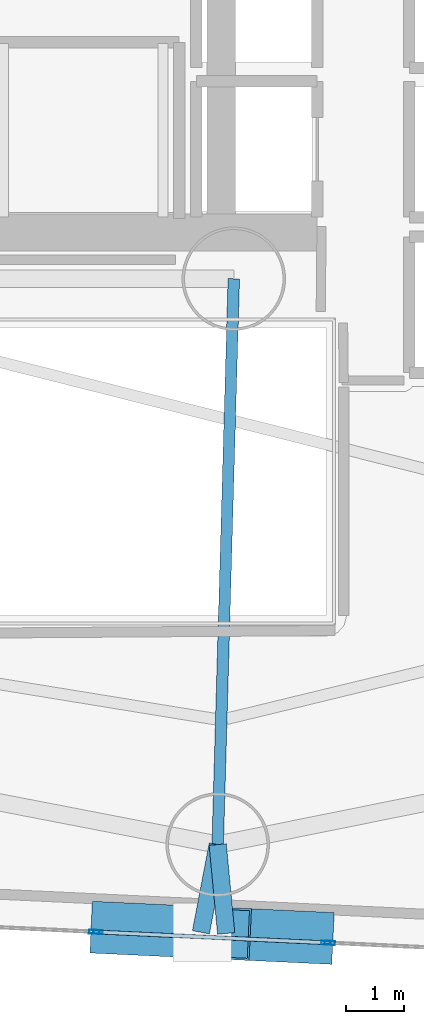
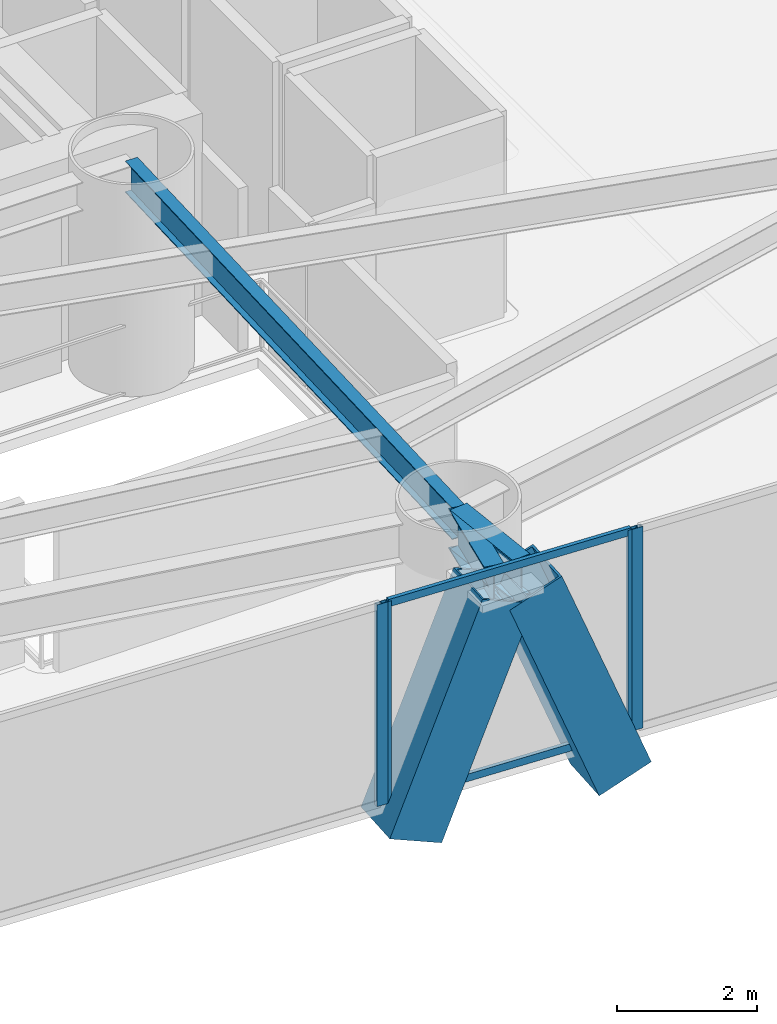
# One storey, part 5 of 23: 8 members, 3 beams, 3 elements without a shape of their own.
"""IFC4 building model written with IfcOpenShell, lengths in metres."""

from ifc_helpers import new_model, si_unit, direction, frame, origin, origin_2d, place, context, subcontext, project, spatial, hollow_rectangle, i_section, extrude, material, layer, layer_set, material_profile, profile_set, type_object, element, aggregate, save


model = new_model("IFC4")

# Units and contexts
model_context = context("Model", 3, precision=1e-05, world=origin(), true_north=direction((0.0, 1.0)))
body_context = subcontext(model_context, "Body", "Model", "MODEL_VIEW")
ifc_project = project(units=[si_unit("LENGTHUNIT", "METRE"), si_unit("AREAUNIT", "SQUARE_METRE"), si_unit("VOLUMEUNIT", "CUBIC_METRE"), si_unit("PLANEANGLEUNIT", "RADIAN"), si_unit("MASSUNIT", "GRAM", prefix="KILO")], contexts=[model_context])

# Site, building, storey
site_placement = place(None, origin())
site = spatial("IfcSite", under=ifc_project, at=site_placement, CompositionType="ELEMENT")
building_placement = place(site_placement, origin())
building = spatial("IfcBuilding", under=site, at=building_placement, Name="Qianvela Tower", CompositionType="ELEMENT")
storey_placement = place(building_placement, frame((0.0, 0.0, 29.39990234375)))
storey = spatial("IfcBuildingStorey", under=building, at=storey_placement, Name="L06", CompositionType="ELEMENT", Elevation=29.39990234375)

# Beams
ifc_material_1 = material(Name="Steel Q355B", Category="steel")
ifc_material_profile_1 = material_profile(ifc_material_1, i_section(OverallWidth=0.199951171875, OverallDepth=0.550048828125, WebThickness=0.010009765625, FlangeThickness=0.01611328125, at=origin_2d()), Name="HN550x200x10x16")
ifc_profile_set_1 = profile_set([ifc_material_profile_1], Name="Steel Q355B")
beam_type_1 = type_object("IfcBeamType", Name="BM-HN550-GIRD", PredefinedType="BEAM", material=ifc_profile_set_1)
beam_placement = place(storey_placement, frame((38.39990234375, 23.85009765625, 3.2431640625), z_axis=(-0.028439336302, -0.999595520273, 0.0), x_axis=(0.999595520273, -0.028439336302, 0.0)))
element("IfcBeam", 1, at=beam_placement, inside=storey, type_object=beam_type_1, Name="L06 Radial Primary Floor Girder 6", PredefinedType="BEAM", context=body_context, shape_type="SweptSolid", body=[
    extrude(i_section(OverallWidth=0.199951171875, OverallDepth=0.550048828125, WebThickness=0.010009765625, FlangeThickness=0.01611328125, at=origin_2d()), origin(), (0.0, 0.0, 1.0), 9.837890625),
])
ifc_material_2 = material(Name="Steel Q355B", Category="steel")
ifc_material_profile_2 = material_profile(ifc_material_2, i_section(OverallWidth=0.300048828125, OverallDepth=0.699951171875, WebThickness=0.012939453125, FlangeThickness=0.02392578125, at=origin_2d()), Name="HN700x300x13x24")
ifc_profile_set_2 = profile_set([ifc_material_profile_2], Name="Steel Q355B")
beam_type_2 = type_object("IfcBeamType", Name="BM-HN700-SPAND", PredefinedType="SPANDREL", material=ifc_profile_set_2)
for number, where, z_axis, x_axis, name in (
    (2, (38.1201171875, 14.01611328125, 3.168212890625), (-0.188123923487, -0.982145299542, 0.0), (0.982145299542, -0.188123923487, 0.0), "L06 Mega-Brace Column Tie Bracket F3-1"),
    (3, (38.1201171875, 14.01611328125, 3.168212890625), (0.095002078177, -0.995477074142, 0.0), (0.995477074142, 0.095002078177, 0.0), "L06 Mega-Brace Column Tie Bracket F3-2"),
):
    element("IfcBeam", number, at=place(storey_placement, frame(where, z_axis=z_axis, x_axis=x_axis)), inside=storey, type_object=beam_type_2, Name=name, PredefinedType="SPANDREL", context=body_context, shape_type="SweptSolid", body=[
        extrude(i_section(OverallWidth=0.300048828125, OverallDepth=0.699951171875, WebThickness=0.012939453125, FlangeThickness=0.02392578125, at=origin_2d()), origin(), (0.0, 0.0, 1.0), 1.55224609375),
    ])

# Curtain wall, members
ifc_material_3 = material(Name="Anodised Architectural Aluminium and Insulated Spandrel Panel", Category="aluminium")
ifc_layer_1 = layer(ifc_material_3, 0.179931640625)
ifc_layer_set_1 = layer_set([ifc_layer_1], Name="Anodised Architectural Aluminium and Insulated Spandrel Panel")
curtain_wall_type_1 = type_object("IfcCurtainWallType", Name="CW-BRACEBAY", PredefinedType="USERDEFINED", material=ifc_layer_set_1)
curtain_wall_1_placement = place(storey_placement, origin())
curtain_wall_1 = element("IfcCurtainWall", 4, at=curtain_wall_1_placement, inside=storey, type_object=curtain_wall_type_1, Name="L06 CW-BRACEBAY Curtain Wall 06B", ObjectType="CURTAIN_WALL_SYSTEM", PredefinedType="USERDEFINED")
ifc_material_4 = material(Name="Anodised Architectural Aluminium 6063-T6", Category="aluminium")
ifc_material_profile_3 = material_profile(ifc_material_4, hollow_rectangle(XDim=0.06494140625, YDim=0.159912109375, WallThickness=0.0048828125, at=origin_2d()), Name="ALU-MULL-65x160")
ifc_profile_set_3 = profile_set([ifc_material_profile_3], Name="Anodised Architectural Aluminium 6063-T6")
member_type_1 = type_object("IfcMemberType", Name="CW-BRACEBAY-MULL", PredefinedType="MULLION", material=ifc_profile_set_3)
member_1_placement = place(storey_placement, frame((36.040771484375, 12.495361328125, 0.0), z_axis=(0.0, 0.0, 1.0), x_axis=(0.046897864023, 0.998899689834, 0.0)))
member_1 = element("IfcMember", 5, at=member_1_placement, type_object=member_type_1, Name="CW-9 mullion 1", PredefinedType="MULLION", context=body_context, shape_type="SweptSolid", body=[
    extrude(hollow_rectangle(XDim=0.06494140625, YDim=0.159912109375, WallThickness=0.0048828125, at=origin_2d()), origin(), (0.0, 0.0, 1.0), 3.52001953125),
])
member_2_placement = place(storey_placement, frame((40.00146484375, 12.3095703125, 0.0), z_axis=(0.0, 0.0, 1.0), x_axis=(0.046897864023, 0.998899689834, 0.0)))
member_2 = element("IfcMember", 6, at=member_2_placement, type_object=member_type_1, Name="CW-9 mullion 2", PredefinedType="MULLION", context=body_context, shape_type="SweptSolid", body=[
    extrude(hollow_rectangle(XDim=0.06494140625, YDim=0.159912109375, WallThickness=0.0048828125, at=origin_2d()), origin(), (0.0, 0.0, 1.0), 3.52001953125),
])
ifc_material_5 = material(Name="Anodised Architectural Aluminium 6063-T6", Category="aluminium")
ifc_material_profile_4 = material_profile(ifc_material_5, hollow_rectangle(XDim=0.06494140625, YDim=0.1298828125, WallThickness=0.00439453125, at=origin_2d()), Name="ALU-TRAN-65x130")
ifc_profile_set_4 = profile_set([ifc_material_profile_4], Name="Anodised Architectural Aluminium 6063-T6")
member_type_2 = type_object("IfcMemberType", Name="CW-BRACEBAY-TRAN", PredefinedType="USERDEFINED", material=ifc_profile_set_4)
member_3_placement = place(storey_placement, frame((36.0732421875, 12.493896484375, 0.03271484375), z_axis=(0.998900198689, -0.046887024429, 0.0), x_axis=(0.046887024429, 0.998900198689, 0.0)))
member_3 = element("IfcMember", 7, at=member_3_placement, type_object=member_type_2, Name="CW-9 transom 1.1", ObjectType="TRANSOM", PredefinedType="USERDEFINED", context=body_context, shape_type="SweptSolid", body=[
    extrude(hollow_rectangle(XDim=0.06494140625, YDim=0.1298828125, WallThickness=0.00439453125, at=origin_2d()), origin(), (0.0, 0.0, 1.0), 3.900146484375),
])
member_4_placement = place(storey_placement, frame((36.0732421875, 12.493896484375, 3.487548828125), z_axis=(0.998900198689, -0.046887024429, 0.0), x_axis=(0.046887024429, 0.998900198689, 0.0)))
member_4 = element("IfcMember", 8, at=member_4_placement, type_object=member_type_2, Name="CW-9 transom 1.2", ObjectType="TRANSOM", PredefinedType="USERDEFINED", context=body_context, shape_type="SweptSolid", body=[
    extrude(hollow_rectangle(XDim=0.06494140625, YDim=0.1298828125, WallThickness=0.00439453125, at=origin_2d()), origin(), (0.0, 0.0, 1.0), 3.900146484375),
])
aggregate(curtain_wall_1, [member_1, member_2, member_3, member_4])

# Curtain wall, member
ifc_material_6 = material(Name="Anodised Architectural Aluminium and Low-E Glass", Category="aluminium")
ifc_layer_2 = layer(ifc_material_6, 0.179931640625)
ifc_layer_set_2 = layer_set([ifc_layer_2], Name="Anodised Architectural Aluminium and Low-E Glass")
curtain_wall_type_2 = type_object("IfcCurtainWallType", Name="CW-COLIV-Z12", PredefinedType="USERDEFINED", material=ifc_layer_set_2)
curtain_wall_2_placement = place(storey_placement, origin())
curtain_wall_2 = element("IfcCurtainWall", 9, at=curtain_wall_2_placement, inside=storey, type_object=curtain_wall_type_2, Name="L06 CW-COLIV-Z12 Curtain Wall 06A", ObjectType="CURTAIN_WALL_SYSTEM", PredefinedType="USERDEFINED")
ifc_material_7 = material(Name="Anodised Architectural Aluminium 6063-T6", Category="aluminium")
ifc_material_profile_5 = material_profile(ifc_material_7, hollow_rectangle(XDim=0.070068359375, YDim=0.179931640625, WallThickness=0.0048828125, at=origin_2d()), Name="ALU-MULL-70x180")
ifc_profile_set_5 = profile_set([ifc_material_profile_5], Name="Anodised Architectural Aluminium 6063-T6")
member_type_3 = type_object("IfcMemberType", Name="CW-COLIV-Z12-MULL", PredefinedType="MULLION", material=ifc_profile_set_5)
member_5_placement = place(storey_placement, frame((35.973388671875, 12.49853515625, 0.0), z_axis=(0.0, 0.0, 1.0), x_axis=(0.046880783003, 0.998900491633, 0.0)))
member_5 = element("IfcMember", 10, at=member_5_placement, type_object=member_type_3, Name="CW-3 mullion 2", PredefinedType="MULLION", context=body_context, shape_type="SweptSolid", body=[
    extrude(hollow_rectangle(XDim=0.070068359375, YDim=0.179931640625, WallThickness=0.0048828125, at=origin_2d()), origin(), (0.0, 0.0, 1.0), 3.52001953125),
])
aggregate(curtain_wall_2, [member_5])

curtain_wall_3_placement = place(storey_placement, origin())
curtain_wall_3 = element("IfcCurtainWall", 11, at=curtain_wall_3_placement, inside=storey, type_object=curtain_wall_type_2, Name="L06 CW-COLIV-Z12 Curtain Wall 06C", ObjectType="CURTAIN_WALL_SYSTEM", PredefinedType="USERDEFINED")
member_6_placement = place(storey_placement, frame((40.06884765625, 12.306396484375, 0.0), z_axis=(0.0, 0.0, 1.0), x_axis=(0.046879657614, 0.99890054445, 0.0)))
member_6 = element("IfcMember", 12, at=member_6_placement, type_object=member_type_3, Name="CW-3 mullion 1", PredefinedType="MULLION", context=body_context, shape_type="SweptSolid", body=[
    extrude(hollow_rectangle(XDim=0.070068359375, YDim=0.179931640625, WallThickness=0.0048828125, at=origin_2d()), origin(), (0.0, 0.0, 1.0), 3.52001953125),
])
aggregate(curtain_wall_3, [member_6])

# Members
ifc_material_8 = material(Name="Steel Q420GJC", Category="steel")
ifc_material_profile_6 = material_profile(ifc_material_8, hollow_rectangle(XDim=0.89990234375, YDim=0.89990234375, WallThickness=0.035888671875, at=origin_2d()), Name="MBOX-900x900x36")
ifc_profile_set_6 = profile_set([ifc_material_profile_6], Name="Steel Q420GJC")
member_type_4 = type_object("IfcMemberType", Name="MBR-MBRACE-900", PredefinedType="BRACE", material=ifc_profile_set_6)
member_7_placement = place(storey_placement, frame((36.33740234375, 12.5615234375, -0.531982421875), z_axis=(0.373632598766, -0.017500642523, 0.927411671617), x_axis=(0.046787878545, 0.998904847531, 0.0)))
element("IfcMember", 13, at=member_7_placement, inside=storey, type_object=member_type_4, Name="L06 Tier 1 Exterior Mega-Brace F3A", PredefinedType="BRACE", context=body_context, shape_type="SweptSolid", body=[
    extrude(hollow_rectangle(XDim=0.89990234375, YDim=0.89990234375, WallThickness=0.035888671875, at=origin_2d()), origin(), (0.0, 0.0, 1.0), 3.98974609375),
])
member_8_placement = place(storey_placement, frame((39.704833984375, 12.403564453125, -0.531982421875), z_axis=(-0.36202010859, 0.016972575161, 0.932015757736), x_axis=(-0.046831522582, -0.998902802325, 0.0)))
element("IfcMember", 14, at=member_8_placement, inside=storey, type_object=member_type_4, Name="L06 Tier 1 Exterior Mega-Brace F3B", PredefinedType="BRACE", context=body_context, shape_type="SweptSolid", body=[
    extrude(hollow_rectangle(XDim=0.89990234375, YDim=0.89990234375, WallThickness=0.035888671875, at=origin_2d()), origin(), (0.0, 0.0, 1.0), 3.97021484375),
])

save(model, "model.ifc")
